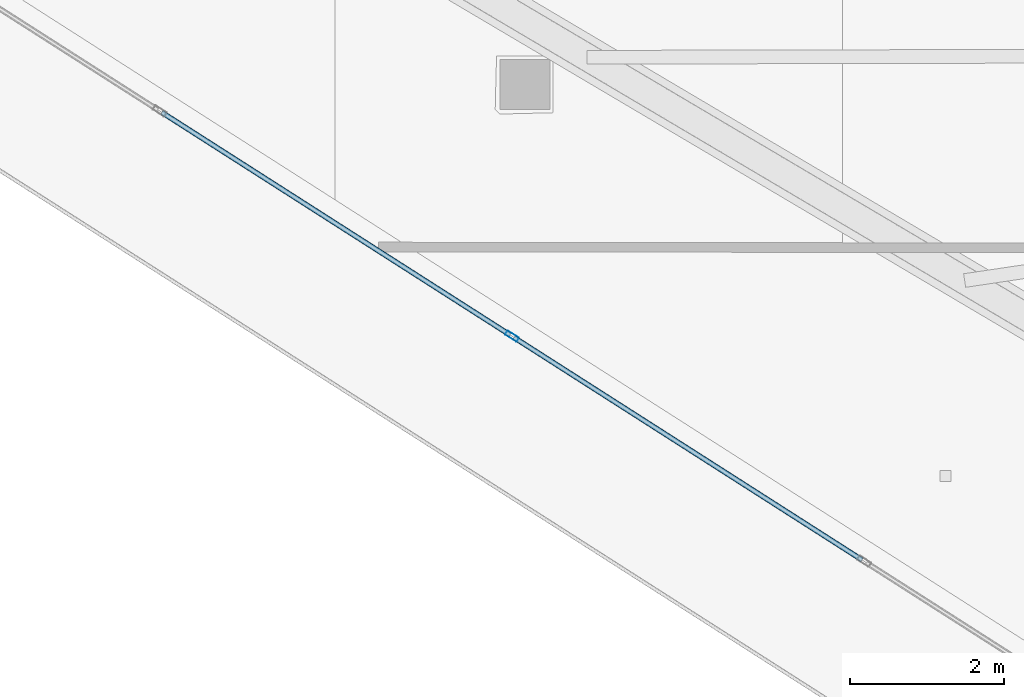
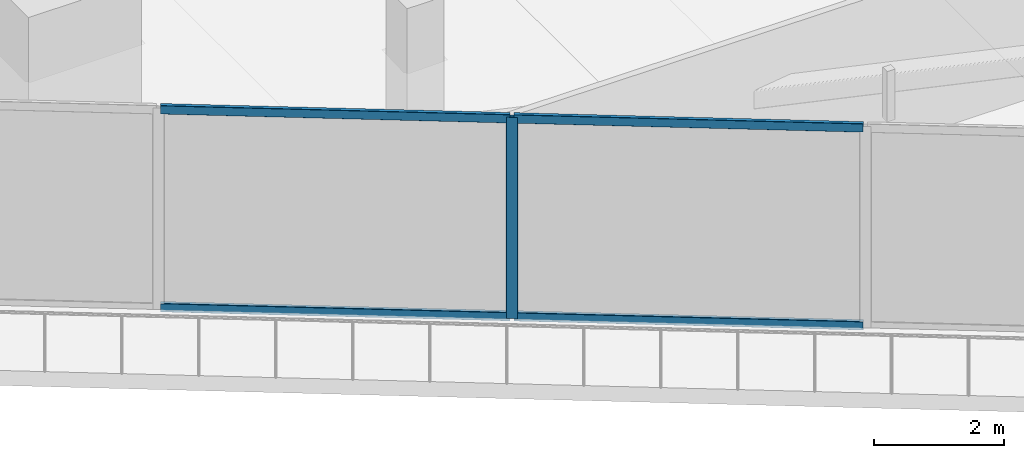
# One storey, part 3 of 45: 5 members, 1 element without a shape of its own.
"""IFC4 building model written with IfcOpenShell, lengths in metres."""

from ifc_helpers import new_model, si_unit, direction, frame, origin, origin_2d, place, context, subcontext, project, spatial, hollow_rectangle, extrude, material, layer, layer_set, material_profile, profile_set, type_object, element, aggregate, save


model = new_model("IFC4")

# Units and contexts
model_context = context("Model", 3, precision=1e-05, world=origin(), true_north=direction((0.0, 1.0)))
body_context = subcontext(model_context, "Body", "Model", "MODEL_VIEW")
ifc_project = project(units=[si_unit("LENGTHUNIT", "METRE"), si_unit("AREAUNIT", "SQUARE_METRE"), si_unit("VOLUMEUNIT", "CUBIC_METRE"), si_unit("PLANEANGLEUNIT", "RADIAN"), si_unit("MASSUNIT", "GRAM", prefix="KILO")], contexts=[model_context])

# Site, building, storey
site_placement = place(None, origin())
site = spatial("IfcSite", under=ifc_project, at=site_placement, CompositionType="ELEMENT")
building_placement = place(site_placement, origin())
building = spatial("IfcBuilding", under=site, at=building_placement, Name="Qorvath Tower", CompositionType="ELEMENT")
storey_placement = place(building_placement, frame((0.0, 0.0, 126.0)))
storey = spatial("IfcBuildingStorey", under=building, at=storey_placement, Name="L28", CompositionType="ELEMENT", Elevation=126.0)

# Curtain wall, members
ifc_material_1 = material(Name="Anodised aluminium and triple low-E glass", Category="aluminium")
ifc_layer = layer(ifc_material_1, 0.179931640625)
ifc_layer_set = layer_set([ifc_layer], Name="CW-SYS-2")
curtain_wall_type = type_object("IfcCurtainWallType", Name="CW-SYS-2", PredefinedType="NOTDEFINED", material=ifc_layer_set)
curtain_wall_placement = place(storey_placement, origin())
curtain_wall = element("IfcCurtainWall", 1, at=curtain_wall_placement, inside=storey, type_object=curtain_wall_type, Name="Curtain Wall CW-2 CW-T-L28-2.1", PredefinedType="NOTDEFINED")
ifc_material_2 = material(Name="Anodised aluminium 6063-T6", Category="aluminium")
ifc_material_profile_1 = material_profile(ifc_material_2, hollow_rectangle(XDim=0.06494140625, YDim=0.179931640625, WallThickness=0.00341796875, InnerFilletRadius=0.00341796875, OuterFilletRadius=0.007080078125, at=origin_2d()), Name="CWM 180x65")
ifc_profile_set_1 = profile_set([ifc_material_profile_1], Name="Anodised aluminium 6063-T6")
member_type_1 = type_object("IfcMemberType", Name="CWM-180", PredefinedType="MULLION", material=ifc_profile_set_1)
member_1_placement = place(storey_placement, frame((-48.7451171875, -9.69287109375, 0.0), z_axis=(0.0, 0.0, 1.0), x_axis=(0.538534177075, 0.842603667285, 0.0)))
member_1 = element("IfcMember", 2, at=member_1_placement, type_object=member_type_1, Name="CW-2 mullion 3", PredefinedType="MULLION", context=body_context, shape_type="SweptSolid", body=[
    extrude(hollow_rectangle(XDim=0.06494140625, YDim=0.179931640625, WallThickness=0.00341796875, InnerFilletRadius=0.00341796875, OuterFilletRadius=0.007080078125, at=origin_2d()), origin(), (0.0, 0.0, 1.0), 3.77001953125),
])
ifc_material_3 = material(Name="Anodised aluminium 6063-T6", Category="aluminium")
ifc_material_profile_2 = material_profile(ifc_material_3, hollow_rectangle(XDim=0.06494140625, YDim=0.159912109375, WallThickness=0.00341796875, InnerFilletRadius=0.00341796875, OuterFilletRadius=0.007080078125, at=origin_2d()), Name="CWT 160x65")
ifc_profile_set_2 = profile_set([ifc_material_profile_2], Name="Anodised aluminium 6063-T6")
member_type_2 = type_object("IfcMemberType", Name="CWT-160", PredefinedType="USERDEFINED", material=ifc_profile_set_2)
member_2_placement = place(storey_placement, frame((-53.289794921875, -6.788330078125, 0.032470703125), z_axis=(0.842621067422, -0.538506951428, 0.0), x_axis=(0.538506951428, 0.842621067422, 0.0)))
member_2 = element("IfcMember", 3, at=member_2_placement, type_object=member_type_2, Name="CW-2 transom 2.1", ObjectType="TRANSOM", PredefinedType="USERDEFINED", context=body_context, shape_type="SweptSolid", body=[
    extrude(hollow_rectangle(XDim=0.06494140625, YDim=0.159912109375, WallThickness=0.00341796875, InnerFilletRadius=0.00341796875, OuterFilletRadius=0.007080078125, at=origin_2d()), origin(), (0.0, 0.0, 1.0), 5.361083984375),
])
member_3_placement = place(storey_placement, frame((-53.289794921875, -6.788330078125, 3.737548828125), z_axis=(0.842621067422, -0.538506951428, 0.0), x_axis=(0.538506951428, 0.842621067422, 0.0)))
member_3 = element("IfcMember", 4, at=member_3_placement, type_object=member_type_2, Name="CW-2 transom 2.2", ObjectType="TRANSOM", PredefinedType="USERDEFINED", context=body_context, shape_type="SweptSolid", body=[
    extrude(hollow_rectangle(XDim=0.06494140625, YDim=0.159912109375, WallThickness=0.00341796875, InnerFilletRadius=0.00341796875, OuterFilletRadius=0.007080078125, at=origin_2d()), origin(), (0.0, 0.0, 1.0), 5.361083984375),
])
member_4_placement = place(storey_placement, frame((-48.7177734375, -9.71044921875, 0.032470703125), z_axis=(0.842621067422, -0.538506951428, 0.0), x_axis=(0.538506951428, 0.842621067422, 0.0)))
member_4 = element("IfcMember", 5, at=member_4_placement, type_object=member_type_2, Name="CW-2 transom 3.1", ObjectType="TRANSOM", PredefinedType="USERDEFINED", context=body_context, shape_type="SweptSolid", body=[
    extrude(hollow_rectangle(XDim=0.06494140625, YDim=0.159912109375, WallThickness=0.00341796875, InnerFilletRadius=0.00341796875, OuterFilletRadius=0.007080078125, at=origin_2d()), origin(), (0.0, 0.0, 1.0), 5.361083984375),
])
member_5_placement = place(storey_placement, frame((-48.7177734375, -9.71044921875, 3.737548828125), z_axis=(0.842621067422, -0.538506951428, 0.0), x_axis=(0.538506951428, 0.842621067422, 0.0)))
member_5 = element("IfcMember", 6, at=member_5_placement, type_object=member_type_2, Name="CW-2 transom 3.2", ObjectType="TRANSOM", PredefinedType="USERDEFINED", context=body_context, shape_type="SweptSolid", body=[
    extrude(hollow_rectangle(XDim=0.06494140625, YDim=0.159912109375, WallThickness=0.00341796875, InnerFilletRadius=0.00341796875, OuterFilletRadius=0.007080078125, at=origin_2d()), origin(), (0.0, 0.0, 1.0), 5.361083984375),
])
aggregate(curtain_wall, [member_1, member_2, member_3, member_4, member_5])

save(model, "model.ifc")
